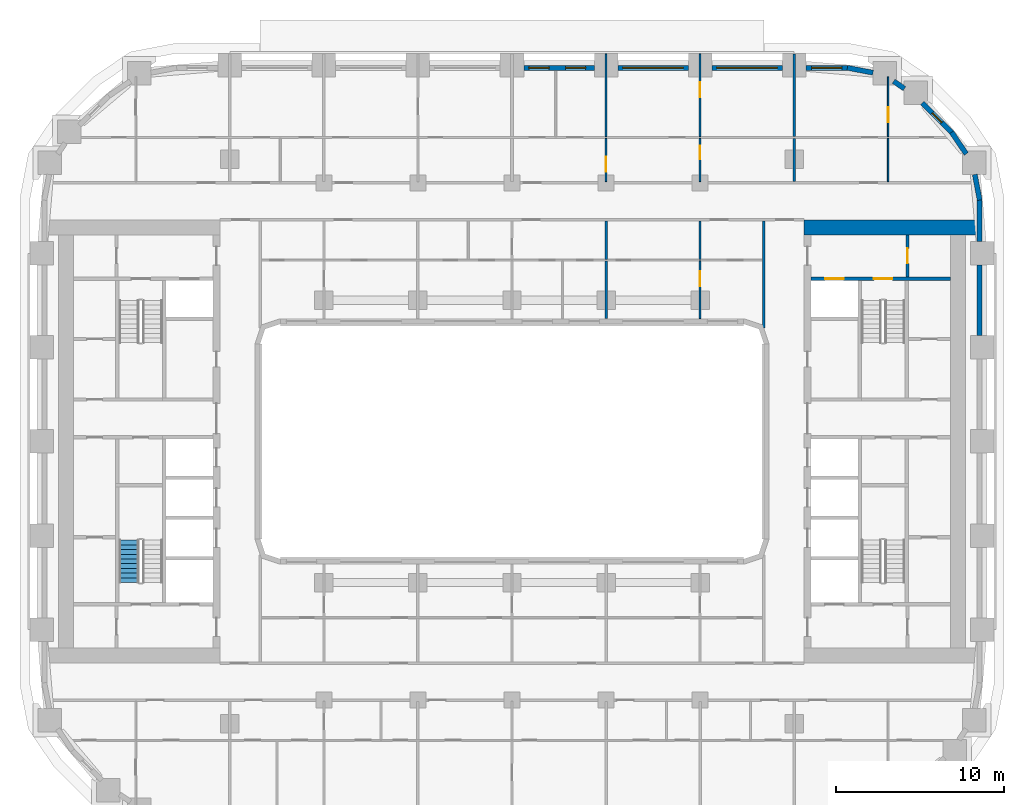
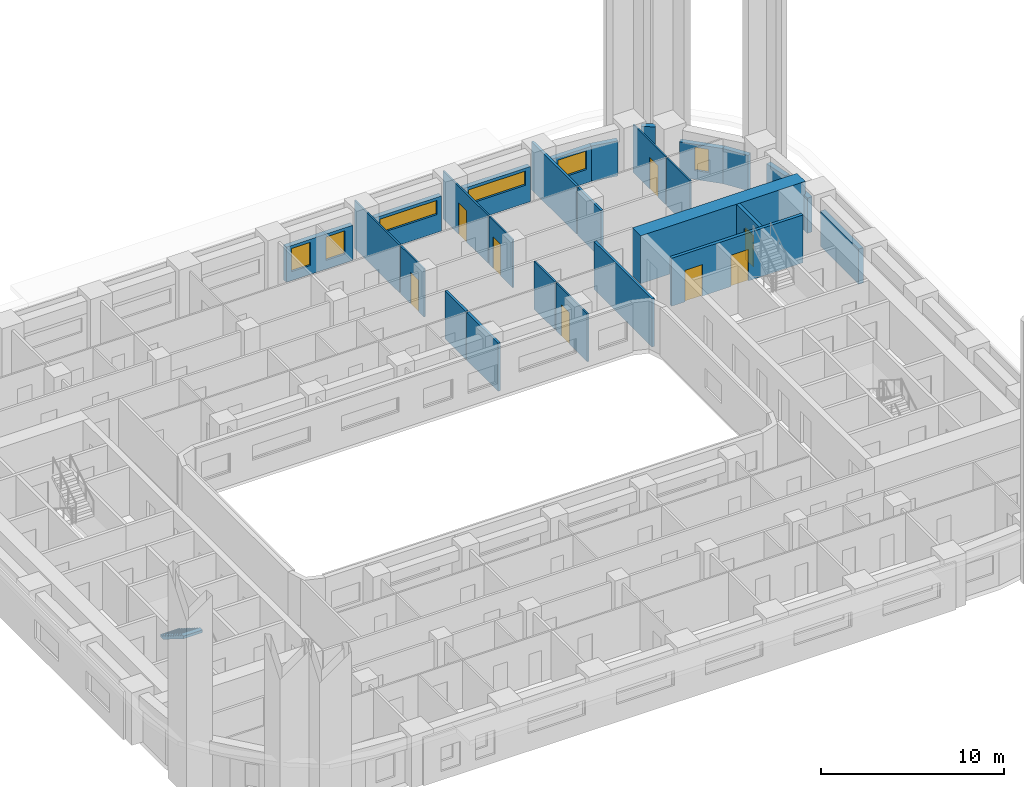
# One storey, part 9 of 22: 27 walls, 8 doors, 6 windows, 1 stair flight, 14 openings, 1 element without a shape of its own.
"""IFC4 building model written with IfcOpenShell, lengths in metres."""

from ifc_helpers import new_model, si_unit, direction, frame, frame_2d, origin, place, context, subcontext, project, spatial, polyline, rectangle, outline, extrude, material, layer, layer_set, type_object, element, fill, aggregate, save


model = new_model("IFC4")

# Units and contexts
model_context = context("Model", 3, precision=1e-05, world=origin(), true_north=direction((0.0, 1.0)))
body_context = subcontext(model_context, "Body", "Model", "MODEL_VIEW")
ifc_project = project(units=[si_unit("LENGTHUNIT", "METRE"), si_unit("AREAUNIT", "SQUARE_METRE"), si_unit("VOLUMEUNIT", "CUBIC_METRE"), si_unit("PLANEANGLEUNIT", "RADIAN"), si_unit("MASSUNIT", "GRAM", prefix="KILO")], contexts=[model_context])

# Site, building, storey
site_placement = place(None, origin())
site = spatial("IfcSite", under=ifc_project, at=site_placement, CompositionType="ELEMENT")
building_placement = place(site_placement, origin())
building = spatial("IfcBuilding", under=site, at=building_placement, Name="Kiln Ring Residences", CompositionType="ELEMENT")
storey_placement = place(building_placement, frame((0.0, 0.0, 55.0)))
storey = spatial("IfcBuildingStorey", under=building, at=storey_placement, Name="L13", CompositionType="ELEMENT", Elevation=55.0)

# Wall, opening, door
ifc_material_1 = material(Name="Gypsum board on steel studs", Category="steel")
ifc_layer_1 = layer(ifc_material_1, 0.199951171875)
ifc_layer_set_1 = layer_set([ifc_layer_1], Name="CORE-PARTITION-200")
wall_type_1 = type_object("IfcWallType", Name="CORE-PARTITION-200", PredefinedType="PARTITIONING", material=ifc_layer_set_1)
wall_1_placement = place(storey_placement, frame((23.550048828125, 9.800048828125, 0.0), z_axis=(0.0, 0.0, 1.0), x_axis=(0.0, 1.0, 0.0)))
wall_1 = element("IfcWall", 1, at=wall_1_placement, inside=storey, type_object=wall_type_1, Name="Core partition east L13 3", PredefinedType="PARTITIONING", context=body_context, shape_type="SweptSolid", body=[
    extrude(rectangle(XDim=2.5, YDim=0.199951171875, at=frame_2d((1.25, 0.0))), origin(), (0.0, 0.0, 1.0), 3.199951171875),
])
opening_1_placement = place(wall_1_placement, frame((0.800048828125, 0.0, 0.0)))
opening_1 = element("IfcOpeningElement", 2, at=opening_1_placement, cuts=wall_1, Name="Opening L13-CE09", PredefinedType="OPENING", context=body_context, shape_type="SweptSolid", body=[
    extrude(rectangle(XDim=0.89990234375, YDim=2.10009765625, at=frame_2d((0.449951171875, 1.050048828125))), frame((0.0, 0.10986328125, 0.0), z_axis=(0.0, -1.0, 0.0), x_axis=(1.0, 0.0, 0.0)), (0.0, 0.0, 1.0), 0.219970703125),
])
ifc_material_2 = material(Name="Steel door leaf", Category="steel")
door_type_1 = type_object("IfcDoorType", Name="CORE-DOOR-ROOM", OperationType="SINGLE_SWING_LEFT", PredefinedType="DOOR", material=ifc_material_2)
door_1_placement = place(opening_1_placement, origin())
door_1 = element("IfcDoor", 3, at=door_1_placement, inside=storey, type_object=door_type_1, Name="Fire riser room L13-CE09", OperationType="SINGLE_SWING_RIGHT", OverallHeight=2.10009765625, OverallWidth=0.89990234375, PredefinedType="DOOR", context=body_context, shape_type="SweptSolid", body=[
    extrude(rectangle(XDim=0.89990234375, YDim=2.10009765625, at=frame_2d((0.449951171875, 1.050048828125))), frame((0.0, 0.02490234375, 0.0), z_axis=(0.0, -1.0, 0.0), x_axis=(1.0, 0.0, 0.0)), (0.0, 0.0, 1.0), 0.050048828125),
])
fill(opening_1, door_1)

# Wall, openings, doors
ifc_material_3 = material(Name="Concrete C40/50", Category="concrete")
ifc_layer_2 = layer(ifc_material_3, 0.199951171875)
ifc_layer_set_2 = layer_set([ifc_layer_2], Name="CORE-WALL-RC200")
wall_type_2 = type_object("IfcWallType", Name="CORE-WALL-RC200", PredefinedType="SHEAR", material=ifc_layer_set_2)
wall_2_placement = place(storey_placement, frame((17.800048828125, 9.699951171875, 0.0), z_axis=(0.0, 0.0, 1.0), x_axis=(1.0, 0.0, 0.0)))
wall_2 = element("IfcWall", 4, at=wall_2_placement, inside=storey, type_object=wall_type_2, Name="Core wall east L13 9", PredefinedType="SHEAR", context=body_context, shape_type="SweptSolid", body=[
    extrude(rectangle(XDim=8.300048828125, YDim=0.199951171875, at=frame_2d((4.14990234375, 0.0))), origin(), (0.0, 0.0, 1.0), 3.199951171875),
])
opening_2_placement = place(wall_2_placement, frame((0.85009765625, 0.0, 0.0)))
opening_2 = element("IfcOpeningElement", 5, at=opening_2_placement, cuts=wall_2, Name="Opening L13-CE06", PredefinedType="OPENING", context=body_context, shape_type="SweptSolid", body=[
    extrude(rectangle(XDim=1.10009765625, YDim=2.10009765625, at=frame_2d((0.550048828125, 1.050048828125))), frame((0.0, 0.10986328125, 0.0), z_axis=(0.0, -1.0, 0.0), x_axis=(1.0, 0.0, 0.0)), (0.0, 0.0, 1.0), 0.219970703125),
])
opening_3_placement = place(wall_2_placement, frame((3.75, 0.0, 0.0)))
opening_3 = element("IfcOpeningElement", 6, at=opening_3_placement, cuts=wall_2, Name="Opening L13-CE11", PredefinedType="OPENING", context=body_context, shape_type="SweptSolid", body=[
    extrude(rectangle(XDim=1.10009765625, YDim=2.10009765625, at=frame_2d((0.550048828125, 1.050048828125))), frame((0.0, 0.10986328125, 0.0), z_axis=(0.0, -1.0, 0.0), x_axis=(1.0, 0.0, 0.0)), (0.0, 0.0, 1.0), 0.219970703125),
])
ifc_material_4 = material(Name="Steel door leaf", Category="steel")
door_type_2 = type_object("IfcDoorType", Name="CORE-DOOR-LD", OperationType="DOUBLE_DOOR_SLIDING", PredefinedType="DOOR", material=ifc_material_4)
door_2_placement = place(opening_2_placement, origin())
door_2 = element("IfcDoor", 7, at=door_2_placement, inside=storey, type_object=door_type_2, Name="LD E-FF L13-CE06", OperationType="DOUBLE_DOOR_SLIDING", OverallHeight=2.10009765625, OverallWidth=1.10009765625, PredefinedType="DOOR", context=body_context, shape_type="SweptSolid", body=[
    extrude(rectangle(XDim=1.10009765625, YDim=2.10009765625, at=frame_2d((0.550048828125, 1.050048828125))), frame((0.0, 0.02490234375, 0.0), z_axis=(0.0, -1.0, 0.0), x_axis=(1.0, 0.0, 0.0)), (0.0, 0.0, 1.0), 0.050048828125),
])
fill(opening_2, door_2)
ifc_material_5 = material(Name="Steel door leaf", Category="steel")
door_type_3 = type_object("IfcDoorType", Name="CORE-DOOR-STAIR", OperationType="SINGLE_SWING_LEFT", PredefinedType="DOOR", material=ifc_material_5)
door_3_placement = place(opening_3_placement, origin())
door_3 = element("IfcDoor", 8, at=door_3_placement, inside=storey, type_object=door_type_3, Name="Stair E-STN L13-CE11", OperationType="SINGLE_SWING_RIGHT", OverallHeight=2.10009765625, OverallWidth=1.10009765625, PredefinedType="DOOR", context=body_context, shape_type="SweptSolid", body=[
    extrude(rectangle(XDim=1.10009765625, YDim=2.10009765625, at=frame_2d((0.550048828125, 1.050048828125))), frame((0.0, 0.02490234375, 0.0), z_axis=(0.0, -1.0, 0.0), x_axis=(1.0, 0.0, 0.0)), (0.0, 0.0, 1.0), 0.050048828125),
])
fill(opening_3, door_3)

# Walls
ifc_material_6 = material(Name="Concrete C60/75", Category="concrete")
ifc_layer_3 = layer(ifc_material_6, 0.89990234375)
ifc_layer_set_3 = layer_set([ifc_layer_3], Name="CORE-WALL-RC900")
wall_type_3 = type_object("IfcWallType", Name="CORE-WALL-RC900", PredefinedType="SHEAR", material=ifc_layer_set_3)
wall_3_placement = place(storey_placement, frame((17.39990234375, 12.75, 0.0), z_axis=(0.0, 0.0, 1.0), x_axis=(1.0, 0.0, 0.0)))
element("IfcWall", 9, at=wall_3_placement, inside=storey, type_object=wall_type_3, Name="Core wall east L13 4", PredefinedType="SHEAR", context=body_context, shape_type="SweptSolid", body=[
    extrude(rectangle(XDim=10.400146484375, YDim=0.89990234375, at=frame_2d((5.2001953125, 0.0))), origin(), (0.0, 0.0, 1.0), 3.199951171875),
])
ifc_material_7 = material(Name="Brick masonry, dark clay brick", Category="masonry")
ifc_layer_4 = layer(ifc_material_7, 0.300048828125)
ifc_layer_set_4 = layer_set([ifc_layer_4], Name="EW-300 BRICK WALL")
wall_type_4 = type_object("IfcWallType", Name="EW-300 BRICK WALL", PredefinedType="SOLIDWALL", material=ifc_layer_set_4)
wall_4_placement = place(storey_placement, frame((27.85009765625, 6.300048828125, 0.0), z_axis=(0.0, 0.0, 1.0), x_axis=(0.0, 1.0, 0.0)))
element("IfcWall", 10, at=wall_4_placement, inside=storey, type_object=wall_type_4, Name="Facade wall L13 21", PredefinedType="SOLIDWALL", context=body_context, shape_type="SweptSolid", body=[
    extrude(rectangle(XDim=4.199951171875, YDim=0.300048828125, at=frame_2d((2.10009765625, 0.0))), origin(), (0.0, 0.0, 1.0), 2.35009765625),
])
wall_5_placement = place(storey_placement, frame((27.85009765625, 11.89990234375, 0.0), z_axis=(0.0, 0.0, 1.0), x_axis=(0.0, 1.0, 0.0)))
element("IfcWall", 11, at=wall_5_placement, inside=storey, type_object=wall_type_4, Name="Facade wall L13 22", PredefinedType="SOLIDWALL", context=body_context, shape_type="SweptSolid", body=[
    extrude(rectangle(XDim=2.5, YDim=0.300048828125, at=frame_2d((1.25, 0.0))), origin(), (0.0, 0.0, 1.0), 2.35009765625),
])
for number, where, z_axis, x_axis, name in (
    (12, (27.8525390625, 14.371826171875, 0.0), (0.0, 0.0, 1.0), (-0.187328386968, 0.982297345734, 0.0), "Facade wall L13 23"),
    (13, (27.053466796875, 17.125732421875, 0.0), (0.0, 0.0, 1.0), (-0.56199241657, 0.827142384187, 0.0), "Facade wall L13 24"),
):
    element("IfcWall", number, at=place(storey_placement, frame(where, z_axis=z_axis, x_axis=x_axis)), inside=storey, type_object=wall_type_4, Name=name, PredefinedType="SOLIDWALL", context=body_context, shape_type="SweptSolid", body=[
        extrude(rectangle(XDim=1.55615234375, YDim=0.300048828125, at=frame_2d((0.778076171875, 0.0))), origin(), (0.0, 0.0, 1.0), 2.35009765625),
    ])

# Wall, opening, window
wall_6_placement = place(storey_placement, frame((26.19677734375, 18.390869140625, 0.0), z_axis=(0.0, 0.0, 1.0), x_axis=(-0.707057949532, 0.707155609469, 0.0)))
wall_6 = element("IfcWall", 14, at=wall_6_placement, inside=storey, type_object=wall_type_4, Name="Facade wall L13 25", PredefinedType="SOLIDWALL", context=body_context, shape_type="SweptSolid", body=[
    extrude(rectangle(XDim=2.5, YDim=0.300048828125, at=frame_2d((1.25, 0.0))), origin(), (0.0, 0.0, 1.0), 2.35009765625),
])
opening_4_placement = place(wall_6_placement, frame((0.85009765625, 0.0, 0.60009765625)))
opening_4 = element("IfcOpeningElement", 15, at=opening_4_placement, cuts=wall_6, Name="Opening W5", PredefinedType="OPENING", context=body_context, shape_type="SweptSolid", body=[
    extrude(rectangle(XDim=0.800048828125, YDim=1.550048828125, at=frame_2d((0.39990234375, 0.77490234375))), frame((0.0, 0.159912109375, 0.0), z_axis=(0.0, -1.0, 0.0), x_axis=(1.0, 0.0, 0.0)), (0.0, 0.0, 1.0), 0.320068359375),
])
ifc_material_8 = material(Name="Aluminium frame with double glazing", Category="aluminium")
window_type_1 = type_object("IfcWindowType", Name="WINDOW 800 x 1550", PartitioningType="SINGLE_PANEL", PredefinedType="WINDOW", material=ifc_material_8)
window_1_placement = place(opening_4_placement, origin())
window_1 = element("IfcWindow", 16, at=window_1_placement, inside=storey, type_object=window_type_1, Name="Window L13 12", OverallHeight=1.550048828125, OverallWidth=0.800048828125, PartitioningType="SINGLE_PANEL", PredefinedType="WINDOW", context=body_context, shape_type="SweptSolid", body=[
    extrude(rectangle(XDim=0.800048828125, YDim=1.550048828125, at=frame_2d((0.39990234375, 0.77490234375))), frame((0.0, 0.030029296875, 0.0), z_axis=(0.0, -1.0, 0.0), x_axis=(1.0, 0.0, 0.0)), (0.0, 0.0, 1.0), 0.06005859375),
])
fill(opening_4, window_1)

# Walls
wall_7_placement = place(storey_placement, frame((23.368408203125, 21.016845703125, 0.0), z_axis=(0.0, 0.0, 1.0), x_axis=(-0.827037530089, 0.562146710232, 0.0)))
element("IfcWall", 17, at=wall_7_placement, inside=storey, type_object=wall_type_4, Name="Facade wall L13 26", PredefinedType="SOLIDWALL", context=body_context, shape_type="SweptSolid", body=[
    extrude(rectangle(XDim=0.77685546875, YDim=0.300048828125, at=frame_2d((0.388427734375, 0.0))), origin(), (0.0, 0.0, 1.0), 3.199951171875),
])
wall_8_placement = place(storey_placement, frame((21.50048828125, 21.961181640625, 0.0), z_axis=(0.0, 0.0, 1.0), x_axis=(-0.982297345734, 0.187328386968, 0.0)))
element("IfcWall", 18, at=wall_8_placement, inside=storey, type_object=wall_type_4, Name="Facade wall L13 27", PredefinedType="SOLIDWALL", context=body_context, shape_type="SweptSolid", body=[
    extrude(rectangle(XDim=1.55615234375, YDim=0.300048828125, at=frame_2d((0.778076171875, 0.0))), origin(), (0.0, 0.0, 1.0), 2.35009765625),
])

# Wall, opening, window
wall_9_placement = place(storey_placement, frame((20.0, 22.25, 0.0), z_axis=(0.0, 0.0, 1.0), x_axis=(-1.0, 0.0, 0.0)))
wall_9 = element("IfcWall", 19, at=wall_9_placement, inside=storey, type_object=wall_type_4, Name="Facade wall L13 28", PredefinedType="SOLIDWALL", context=body_context, shape_type="SweptSolid", body=[
    extrude(rectangle(XDim=2.5, YDim=0.300048828125, at=frame_2d((1.25, 0.0))), origin(), (0.0, 0.0, 1.0), 2.35009765625),
])
opening_5_placement = place(wall_9_placement, frame((0.35009765625, 0.0, 0.89990234375)))
opening_5 = element("IfcOpeningElement", 20, at=opening_5_placement, cuts=wall_9, Name="Opening W2", PredefinedType="OPENING", context=body_context, shape_type="SweptSolid", body=[
    extrude(rectangle(XDim=1.800048828125, YDim=1.25, at=frame_2d((0.89990234375, 0.625))), frame((0.0, 0.159912109375, 0.0), z_axis=(0.0, -1.0, 0.0), x_axis=(1.0, 0.0, 0.0)), (0.0, 0.0, 1.0), 0.320068359375),
])
ifc_material_9 = material(Name="Aluminium frame with double glazing", Category="aluminium")
window_type_2 = type_object("IfcWindowType", Name="WINDOW 1800 x 1250", PartitioningType="SINGLE_PANEL", PredefinedType="WINDOW", material=ifc_material_9)
window_2_placement = place(opening_5_placement, origin())
window_2 = element("IfcWindow", 21, at=window_2_placement, inside=storey, type_object=window_type_2, Name="Window L13 13", OverallHeight=1.25, OverallWidth=1.800048828125, PartitioningType="SINGLE_PANEL", PredefinedType="WINDOW", context=body_context, shape_type="SweptSolid", body=[
    extrude(rectangle(XDim=1.800048828125, YDim=1.25, at=frame_2d((0.89990234375, 0.625))), frame((0.0, 0.030029296875, 0.0), z_axis=(0.0, -1.0, 0.0), x_axis=(1.0, 0.0, 0.0)), (0.0, 0.0, 1.0), 0.06005859375),
])
fill(opening_5, window_2)

wall_10_placement = place(storey_placement, frame((16.10009765625, 22.25, 0.0), z_axis=(0.0, 0.0, 1.0), x_axis=(-1.0, 0.0, 0.0)))
wall_10 = element("IfcWall", 22, at=wall_10_placement, inside=storey, type_object=wall_type_4, Name="Facade wall L13 29", PredefinedType="SOLIDWALL", context=body_context, shape_type="SweptSolid", body=[
    extrude(rectangle(XDim=4.2001953125, YDim=0.300048828125, at=frame_2d((2.10009765625, 0.0))), origin(), (0.0, 0.0, 1.0), 2.35009765625),
])
opening_6_placement = place(wall_10_placement, frame((0.300048828125, 0.0, 1.199951171875)))
opening_6 = element("IfcOpeningElement", 23, at=opening_6_placement, cuts=wall_10, Name="Opening W4", PredefinedType="OPENING", context=body_context, shape_type="SweptSolid", body=[
    extrude(rectangle(XDim=3.60009765625, YDim=0.949951171875, at=frame_2d((1.800048828125, 0.47509765625))), frame((0.0, 0.159912109375, 0.0), z_axis=(0.0, -1.0, 0.0), x_axis=(1.0, 0.0, 0.0)), (0.0, 0.0, 1.0), 0.320068359375),
])
ifc_material_10 = material(Name="Aluminium frame with double glazing", Category="aluminium")
window_type_3 = type_object("IfcWindowType", Name="WINDOW 3600 x 950", PartitioningType="SINGLE_PANEL", PredefinedType="WINDOW", material=ifc_material_10)
window_3_placement = place(opening_6_placement, origin())
window_3 = element("IfcWindow", 24, at=window_3_placement, inside=storey, type_object=window_type_3, Name="Window L13 14", OverallHeight=0.949951171875, OverallWidth=3.60009765625, PartitioningType="SINGLE_PANEL", PredefinedType="WINDOW", context=body_context, shape_type="SweptSolid", body=[
    extrude(rectangle(XDim=3.60009765625, YDim=0.949951171875, at=frame_2d((1.800048828125, 0.47509765625))), frame((0.0, 0.030029296875, 0.0), z_axis=(0.0, -1.0, 0.0), x_axis=(1.0, 0.0, 0.0)), (0.0, 0.0, 1.0), 0.06005859375),
])
fill(opening_6, window_3)

wall_11_placement = place(storey_placement, frame((10.5, 22.25, 0.0), z_axis=(0.0, 0.0, 1.0), x_axis=(-1.0, 0.0, 0.0)))
wall_11 = element("IfcWall", 25, at=wall_11_placement, inside=storey, type_object=wall_type_4, Name="Facade wall L13 30", PredefinedType="SOLIDWALL", context=body_context, shape_type="SweptSolid", body=[
    extrude(rectangle(XDim=4.199951171875, YDim=0.300048828125, at=frame_2d((2.10009765625, 0.0))), origin(), (0.0, 0.0, 1.0), 2.35009765625),
])
opening_7_placement = place(wall_11_placement, frame((0.300048828125, 0.0, 1.199951171875)))
opening_7 = element("IfcOpeningElement", 26, at=opening_7_placement, cuts=wall_11, Name="Opening W4", PredefinedType="OPENING", context=body_context, shape_type="SweptSolid", body=[
    extrude(rectangle(XDim=3.60009765625, YDim=0.949951171875, at=frame_2d((1.800048828125, 0.47509765625))), frame((0.0, 0.159912109375, 0.0), z_axis=(0.0, -1.0, 0.0), x_axis=(1.0, 0.0, 0.0)), (0.0, 0.0, 1.0), 0.320068359375),
])
window_4_placement = place(opening_7_placement, origin())
window_4 = element("IfcWindow", 27, at=window_4_placement, inside=storey, type_object=window_type_3, Name="Window L13 15", OverallHeight=0.949951171875, OverallWidth=3.60009765625, PartitioningType="SINGLE_PANEL", PredefinedType="WINDOW", context=body_context, shape_type="SweptSolid", body=[
    extrude(rectangle(XDim=3.60009765625, YDim=0.949951171875, at=frame_2d((1.800048828125, 0.47509765625))), frame((0.0, 0.030029296875, 0.0), z_axis=(0.0, -1.0, 0.0), x_axis=(1.0, 0.0, 0.0)), (0.0, 0.0, 1.0), 0.06005859375),
])
fill(opening_7, window_4)

# Wall, openings, windows
wall_12_placement = place(storey_placement, frame((4.89990234375, 22.25, 0.0), z_axis=(0.0, 0.0, 1.0), x_axis=(-1.0, 0.0, 0.0)))
wall_12 = element("IfcWall", 28, at=wall_12_placement, inside=storey, type_object=wall_type_4, Name="Facade wall L13 31", PredefinedType="SOLIDWALL", context=body_context, shape_type="SweptSolid", body=[
    extrude(rectangle(XDim=4.199951171875, YDim=0.300048828125, at=frame_2d((2.10009765625, 0.0))), origin(), (0.0, 0.0, 1.0), 2.35009765625),
])
opening_8_placement = place(wall_12_placement, frame((0.512451171875, 0.0, 0.60009765625)))
opening_8 = element("IfcOpeningElement", 29, at=opening_8_placement, cuts=wall_12, Name="Opening W1", PredefinedType="OPENING", context=body_context, shape_type="SweptSolid", body=[
    extrude(rectangle(XDim=1.199951171875, YDim=1.550048828125, at=frame_2d((0.60009765625, 0.77490234375))), frame((0.0, 0.159912109375, 0.0), z_axis=(0.0, -1.0, 0.0), x_axis=(1.0, 0.0, 0.0)), (0.0, 0.0, 1.0), 0.320068359375),
])
opening_9_placement = place(wall_12_placement, frame((2.6875, 0.0, 0.60009765625)))
opening_9 = element("IfcOpeningElement", 30, at=opening_9_placement, cuts=wall_12, Name="Opening W1", PredefinedType="OPENING", context=body_context, shape_type="SweptSolid", body=[
    extrude(rectangle(XDim=1.199951171875, YDim=1.550048828125, at=frame_2d((0.60009765625, 0.77490234375))), frame((0.0, 0.159912109375, 0.0), z_axis=(0.0, -1.0, 0.0), x_axis=(1.0, 0.0, 0.0)), (0.0, 0.0, 1.0), 0.320068359375),
])
ifc_material_11 = material(Name="Aluminium frame with double glazing", Category="aluminium")
window_type_4 = type_object("IfcWindowType", Name="WINDOW 1200 x 1550", PartitioningType="SINGLE_PANEL", PredefinedType="WINDOW", material=ifc_material_11)
window_5_placement = place(opening_8_placement, origin())
window_5 = element("IfcWindow", 31, at=window_5_placement, inside=storey, type_object=window_type_4, Name="Window L13 16", OverallHeight=1.550048828125, OverallWidth=1.199951171875, PartitioningType="SINGLE_PANEL", PredefinedType="WINDOW", context=body_context, shape_type="SweptSolid", body=[
    extrude(rectangle(XDim=1.199951171875, YDim=1.550048828125, at=frame_2d((0.60009765625, 0.77490234375))), frame((0.0, 0.030029296875, 0.0), z_axis=(0.0, -1.0, 0.0), x_axis=(1.0, 0.0, 0.0)), (0.0, 0.0, 1.0), 0.06005859375),
])
fill(opening_8, window_5)
window_6_placement = place(opening_9_placement, origin())
window_6 = element("IfcWindow", 32, at=window_6_placement, inside=storey, type_object=window_type_4, Name="Window L13 17", OverallHeight=1.550048828125, OverallWidth=1.199951171875, PartitioningType="SINGLE_PANEL", PredefinedType="WINDOW", context=body_context, shape_type="SweptSolid", body=[
    extrude(rectangle(XDim=1.199951171875, YDim=1.550048828125, at=frame_2d((0.60009765625, 0.77490234375))), frame((0.0, 0.030029296875, 0.0), z_axis=(0.0, -1.0, 0.0), x_axis=(1.0, 0.0, 0.0)), (0.0, 0.0, 1.0), 0.06005859375),
])
fill(opening_9, window_6)

# Wall, opening, door
ifc_material_12 = material(Name="Gypsum board on steel studs", Category="steel")
ifc_layer_5 = layer(ifc_material_12, 0.10009765625)
ifc_layer_set_5 = layer_set([ifc_layer_5], Name="PARTITION-100")
wall_type_5 = type_object("IfcWallType", Name="PARTITION-100", PredefinedType="PARTITIONING", material=ifc_layer_set_5)
wall_13_placement = place(storey_placement, frame((5.60009765625, 15.47509765625, 0.0), z_axis=(0.0, 0.0, 1.0), x_axis=(0.0, 1.0, 0.0)))
wall_13 = element("IfcWall", 33, at=wall_13_placement, inside=storey, type_object=wall_type_5, Name="Partition 048", PredefinedType="PARTITIONING", context=body_context, shape_type="SweptSolid", body=[
    extrude(rectangle(XDim=2.574951171875, YDim=0.10009765625, at=frame_2d((1.28759765625, 0.0))), origin(), (0.0, 0.0, 1.0), 3.199951171875),
])
opening_10_placement = place(wall_13_placement, frame((0.575927734375, 0.0, 0.0)))
opening_10 = element("IfcOpeningElement", 34, at=opening_10_placement, cuts=wall_13, Name="Opening L13-D031", PredefinedType="OPENING", context=body_context, shape_type="SweptSolid", body=[
    extrude(rectangle(XDim=0.89990234375, YDim=2.10009765625, at=frame_2d((0.449951171875, 1.050048828125))), frame((0.0, 0.06005859375, 0.0), z_axis=(0.0, -1.0, 0.0), x_axis=(1.0, 0.0, 0.0)), (0.0, 0.0, 1.0), 0.1201171875),
])
ifc_material_13 = material(Name="Timber door leaf", Category="wood")
door_type_4 = type_object("IfcDoorType", Name="FLAT-DOOR-900-PL", OperationType="SINGLE_SWING_LEFT", PredefinedType="DOOR", material=ifc_material_13)
door_4_placement = place(opening_10_placement, origin())
door_4 = element("IfcDoor", 35, at=door_4_placement, inside=storey, type_object=door_type_4, Name="Door L13-D031", OperationType="SINGLE_SWING_LEFT", OverallHeight=2.10009765625, OverallWidth=0.89990234375, PredefinedType="DOOR", context=body_context, shape_type="SweptSolid", body=[
    extrude(rectangle(XDim=0.89990234375, YDim=2.10009765625, at=frame_2d((0.449951171875, 1.050048828125))), frame((0.0, 0.02490234375, 0.0), z_axis=(0.0, -1.0, 0.0), x_axis=(1.0, 0.0, 0.0)), (0.0, 0.0, 1.0), 0.050048828125),
])
fill(opening_10, door_4)

# Wall
wall_14_placement = place(storey_placement, frame((5.60009765625, 18.14990234375, 0.0), z_axis=(0.0, 0.0, 1.0), x_axis=(0.0, 1.0, 0.0)))
element("IfcWall", 36, at=wall_14_placement, inside=storey, type_object=wall_type_5, Name="Partition 049", PredefinedType="PARTITIONING", context=body_context, shape_type="SweptSolid", body=[
    extrude(rectangle(XDim=4.93017578125, YDim=0.10009765625, at=frame_2d((2.465087890625, 0.0))), origin(), (0.0, 0.0, 1.0), 3.199951171875),
])

# Wall, opening, door
wall_15_placement = place(storey_placement, frame((11.199951171875, 7.320068359375, 0.0), z_axis=(0.0, 0.0, 1.0), x_axis=(0.0, 1.0, 0.0)))
wall_15 = element("IfcWall", 37, at=wall_15_placement, inside=storey, type_object=wall_type_5, Name="Partition 059", PredefinedType="PARTITIONING", context=body_context, shape_type="SweptSolid", body=[
    extrude(rectangle(XDim=3.429931640625, YDim=0.10009765625, at=frame_2d((1.71484375, 0.0))), origin(), (0.0, 0.0, 1.0), 3.199951171875),
])
opening_11_placement = place(wall_15_placement, frame((1.929931640625, 0.0, 0.0)))
opening_11 = element("IfcOpeningElement", 38, at=opening_11_placement, cuts=wall_15, Name="Opening L13-D018", PredefinedType="OPENING", context=body_context, shape_type="SweptSolid", body=[
    extrude(rectangle(XDim=0.89990234375, YDim=2.10009765625, at=frame_2d((0.449951171875, 1.050048828125))), frame((0.0, 0.06005859375, 0.0), z_axis=(0.0, -1.0, 0.0), x_axis=(1.0, 0.0, 0.0)), (0.0, 0.0, 1.0), 0.1201171875),
])
door_5_placement = place(opening_11_placement, origin())
door_5 = element("IfcDoor", 39, at=door_5_placement, inside=storey, type_object=door_type_4, Name="Door L13-D018", OperationType="SINGLE_SWING_LEFT", OverallHeight=2.10009765625, OverallWidth=0.89990234375, PredefinedType="DOOR", context=body_context, shape_type="SweptSolid", body=[
    extrude(rectangle(XDim=0.89990234375, YDim=2.10009765625, at=frame_2d((0.449951171875, 1.050048828125))), frame((0.0, 0.02490234375, 0.0), z_axis=(0.0, -1.0, 0.0), x_axis=(1.0, 0.0, 0.0)), (0.0, 0.0, 1.0), 0.050048828125),
])
fill(opening_11, door_5)

# Wall
wall_16_placement = place(storey_placement, frame((11.199951171875, 10.85009765625, 0.0), z_axis=(0.0, 0.0, 1.0), x_axis=(0.0, 1.0, 0.0)))
element("IfcWall", 40, at=wall_16_placement, inside=storey, type_object=wall_type_5, Name="Partition 060", PredefinedType="PARTITIONING", context=body_context, shape_type="SweptSolid", body=[
    extrude(rectangle(XDim=2.27490234375, YDim=0.10009765625, at=frame_2d((1.137451171875, 0.0))), origin(), (0.0, 0.0, 1.0), 3.199951171875),
])

# Wall, opening, door
wall_17_placement = place(storey_placement, frame((11.199951171875, 15.47509765625, 0.0), z_axis=(0.0, 0.0, 1.0), x_axis=(0.0, 1.0, 0.0)))
wall_17 = element("IfcWall", 41, at=wall_17_placement, inside=storey, type_object=wall_type_5, Name="Partition 061", PredefinedType="PARTITIONING", context=body_context, shape_type="SweptSolid", body=[
    extrude(rectangle(XDim=2.574951171875, YDim=0.10009765625, at=frame_2d((1.28759765625, 0.0))), origin(), (0.0, 0.0, 1.0), 3.199951171875),
])
opening_12_placement = place(wall_17_placement, frame((1.325927734375, 0.0, 0.0)))
opening_12 = element("IfcOpeningElement", 42, at=opening_12_placement, cuts=wall_17, Name="Opening L13-D032", PredefinedType="OPENING", context=body_context, shape_type="SweptSolid", body=[
    extrude(rectangle(XDim=0.800048828125, YDim=2.10009765625, at=frame_2d((0.39990234375, 1.050048828125))), frame((0.0, 0.06005859375, 0.0), z_axis=(0.0, -1.0, 0.0), x_axis=(1.0, 0.0, 0.0)), (0.0, 0.0, 1.0), 0.1201171875),
])
ifc_material_14 = material(Name="Timber door leaf", Category="wood")
door_type_5 = type_object("IfcDoorType", Name="FLAT-DOOR-800-PL", OperationType="SINGLE_SWING_LEFT", PredefinedType="DOOR", material=ifc_material_14)
door_6_placement = place(opening_12_placement, origin())
door_6 = element("IfcDoor", 43, at=door_6_placement, inside=storey, type_object=door_type_5, Name="Door L13-D032", OperationType="SINGLE_SWING_RIGHT", OverallHeight=2.10009765625, OverallWidth=0.800048828125, PredefinedType="DOOR", context=body_context, shape_type="SweptSolid", body=[
    extrude(rectangle(XDim=0.800048828125, YDim=2.10009765625, at=frame_2d((0.39990234375, 1.050048828125))), frame((0.0, 0.02490234375, 0.0), z_axis=(0.0, -1.0, 0.0), x_axis=(1.0, 0.0, 0.0)), (0.0, 0.0, 1.0), 0.050048828125),
])
fill(opening_12, door_6)

wall_18_placement = place(storey_placement, frame((11.199951171875, 18.14990234375, 0.0), z_axis=(0.0, 0.0, 1.0), x_axis=(0.0, 1.0, 0.0)))
wall_18 = element("IfcWall", 44, at=wall_18_placement, inside=storey, type_object=wall_type_5, Name="Partition 062", PredefinedType="PARTITIONING", context=body_context, shape_type="SweptSolid", body=[
    extrude(rectangle(XDim=4.93017578125, YDim=0.10009765625, at=frame_2d((2.465087890625, 0.0))), origin(), (0.0, 0.0, 1.0), 3.199951171875),
])
opening_13_placement = place(wall_18_placement, frame((2.35009765625, 0.0, 0.0)))
opening_13 = element("IfcOpeningElement", 45, at=opening_13_placement, cuts=wall_18, Name="Opening L13-D036", PredefinedType="OPENING", context=body_context, shape_type="SweptSolid", body=[
    extrude(rectangle(XDim=0.89990234375, YDim=2.10009765625, at=frame_2d((0.449951171875, 1.050048828125))), frame((0.0, 0.06005859375, 0.0), z_axis=(0.0, -1.0, 0.0), x_axis=(1.0, 0.0, 0.0)), (0.0, 0.0, 1.0), 0.1201171875),
])
door_7_placement = place(opening_13_placement, origin())
door_7 = element("IfcDoor", 46, at=door_7_placement, inside=storey, type_object=door_type_4, Name="Door L13-D036", OperationType="SINGLE_SWING_RIGHT", OverallHeight=2.10009765625, OverallWidth=0.89990234375, PredefinedType="DOOR", context=body_context, shape_type="SweptSolid", body=[
    extrude(rectangle(XDim=0.89990234375, YDim=2.10009765625, at=frame_2d((0.449951171875, 1.050048828125))), frame((0.0, 0.02490234375, 0.0), z_axis=(0.0, -1.0, 0.0), x_axis=(1.0, 0.0, 0.0)), (0.0, 0.0, 1.0), 0.050048828125),
])
fill(opening_13, door_7)

# Wall
wall_19_placement = place(storey_placement, frame((22.39990234375, 15.47509765625, 0.0), z_axis=(0.0, 0.0, 1.0), x_axis=(0.0, 1.0, 0.0)))
element("IfcWall", 47, at=wall_19_placement, inside=storey, type_object=wall_type_5, Name="Partition 074", PredefinedType="PARTITIONING", context=body_context, shape_type="SweptSolid", body=[
    extrude(rectangle(XDim=2.574951171875, YDim=0.10009765625, at=frame_2d((1.28759765625, 0.0))), origin(), (0.0, 0.0, 1.0), 3.199951171875),
])

# Wall, opening, door
wall_20_placement = place(storey_placement, frame((22.39990234375, 18.14990234375, 0.0), z_axis=(0.0, 0.0, 1.0), x_axis=(0.0, 1.0, 0.0)))
wall_20 = element("IfcWall", 48, at=wall_20_placement, inside=storey, type_object=wall_type_5, Name="Partition 075", PredefinedType="PARTITIONING", context=body_context, shape_type="SweptSolid", body=[
    extrude(rectangle(XDim=3.570068359375, YDim=0.10009765625, at=frame_2d((1.78515625, 0.0))), origin(), (0.0, 0.0, 1.0), 3.199951171875),
])
opening_14_placement = place(wall_20_placement, frame((0.85009765625, 0.0, 0.0)))
opening_14 = element("IfcOpeningElement", 49, at=opening_14_placement, cuts=wall_20, Name="Opening L13-D040", PredefinedType="OPENING", context=body_context, shape_type="SweptSolid", body=[
    extrude(rectangle(XDim=0.89990234375, YDim=2.10009765625, at=frame_2d((0.449951171875, 1.050048828125))), frame((0.0, 0.06005859375, 0.0), z_axis=(0.0, -1.0, 0.0), x_axis=(1.0, 0.0, 0.0)), (0.0, 0.0, 1.0), 0.1201171875),
])
door_8_placement = place(opening_14_placement, origin())
door_8 = element("IfcDoor", 50, at=door_8_placement, inside=storey, type_object=door_type_4, Name="Door L13-D040", OperationType="SINGLE_SWING_LEFT", OverallHeight=2.10009765625, OverallWidth=0.89990234375, PredefinedType="DOOR", context=body_context, shape_type="SweptSolid", body=[
    extrude(rectangle(XDim=0.89990234375, YDim=2.10009765625, at=frame_2d((0.449951171875, 1.050048828125))), frame((0.0, 0.02490234375, 0.0), z_axis=(0.0, -1.0, 0.0), x_axis=(1.0, 0.0, 0.0)), (0.0, 0.0, 1.0), 0.050048828125),
])
fill(opening_14, door_8)

# Walls
ifc_material_15 = material(Name="Brick masonry partition", Category="masonry")
ifc_layer_6 = layer(ifc_material_15, 0.14990234375)
ifc_layer_set_6 = layer_set([ifc_layer_6], Name="PARTITION-150-ei60")
wall_type_6 = type_object("IfcWallType", Name="PARTITION-150-ei60", PredefinedType="PARTITIONING", material=ifc_layer_set_6)
wall_21_placement = place(storey_placement, frame((5.60009765625, 7.320068359375, 0.0), z_axis=(0.0, 0.0, 1.0), x_axis=(0.0, 1.0, 0.0)))
element("IfcWall", 51, at=wall_21_placement, inside=storey, type_object=wall_type_6, Name="Partition 054", PredefinedType="PARTITIONING", context=body_context, shape_type="SweptSolid", body=[
    extrude(rectangle(XDim=3.429931640625, YDim=0.14990234375, at=frame_2d((1.71484375, 0.0))), origin(), (0.0, 0.0, 1.0), 3.199951171875),
])
wall_22_placement = place(storey_placement, frame((5.60009765625, 10.85009765625, 0.0), z_axis=(0.0, 0.0, 1.0), x_axis=(0.0, 1.0, 0.0)))
element("IfcWall", 52, at=wall_22_placement, inside=storey, type_object=wall_type_6, Name="Partition 055", PredefinedType="PARTITIONING", context=body_context, shape_type="SweptSolid", body=[
    extrude(rectangle(XDim=2.27490234375, YDim=0.14990234375, at=frame_2d((1.137451171875, 0.0))), origin(), (0.0, 0.0, 1.0), 3.199951171875),
])
wall_23_placement = place(storey_placement, frame((15.0, 6.768798828125, 0.0), z_axis=(0.0, 0.0, 1.0), x_axis=(0.0, 1.0, 0.0)))
element("IfcWall", 53, at=wall_23_placement, inside=storey, type_object=wall_type_6, Name="Partition 067", PredefinedType="PARTITIONING", context=body_context, shape_type="SweptSolid", body=[
    extrude(rectangle(XDim=6.356201171875, YDim=0.14990234375, at=frame_2d((3.17822265625, 0.0))), origin(), (0.0, 0.0, 1.0), 3.199951171875),
])
wall_24_placement = place(storey_placement, frame((16.800048828125, 15.47509765625, 0.0), z_axis=(0.0, 0.0, 1.0), x_axis=(0.0, 1.0, 0.0)))
element("IfcWall", 54, at=wall_24_placement, inside=storey, type_object=wall_type_6, Name="Partition 070", PredefinedType="PARTITIONING", context=body_context, shape_type="SweptSolid", body=[
    extrude(rectangle(XDim=2.574951171875, YDim=0.14990234375, at=frame_2d((1.28759765625, 0.0))), origin(), (0.0, 0.0, 1.0), 3.199951171875),
])
wall_25_placement = place(storey_placement, frame((16.800048828125, 18.14990234375, 0.0), z_axis=(0.0, 0.0, 1.0), x_axis=(0.0, 1.0, 0.0)))
element("IfcWall", 55, at=wall_25_placement, inside=storey, type_object=wall_type_6, Name="Partition 071", PredefinedType="PARTITIONING", context=body_context, shape_type="SweptSolid", body=[
    extrude(rectangle(XDim=4.93017578125, YDim=0.14990234375, at=frame_2d((2.465087890625, 0.0))), origin(), (0.0, 0.0, 1.0), 3.199951171875),
])

# Stair, stair flight
ifc_material_16 = material(Name="Concrete C40/50", Category="concrete")
stair_type = type_object("IfcStairType", Name="CORE-STAIR", PredefinedType="HALF_TURN_STAIR", material=ifc_material_16)
stair_placement = place(storey_placement, origin())
stair = element("IfcStair", 56, at=stair_placement, inside=storey, type_object=stair_type, Name="L13 stair W-STS", PredefinedType="HALF_TURN_STAIR")
ifc_material_17 = material(Name="Concrete C40/50", Category="concrete")
stair_flight_type = type_object("IfcStairFlightType", Name="CORE-STAIR-FLIGHT", PredefinedType="STRAIGHT", material=ifc_material_17)
stair_flight_placement = place(storey_placement, frame((-22.800048828125, -5.8798828125, 1.75), z_axis=(0.0, 0.0, 1.0), x_axis=(0.0, -1.0, 0.0)))
stair_flight = element("IfcStairFlight", 57, at=stair_flight_placement, type_object=stair_flight_type, Name="W-STS flight 2", NumberOfRisers=10, NumberOfTreads=9, PredefinedType="STRAIGHT", RiserHeight=0.175, TreadLength=0.28, context=body_context, shape_type="SweptSolid", body=[
    extrude(outline(polyline([(0.0, 0.0), (0.0, 0.175048828125), (0.280029296875, 0.175048828125), (0.280029296875, 0.35009765625), (0.56005859375, 0.35009765625), (0.56005859375, 0.52490234375), (0.840087890625, 0.52490234375), (0.840087890625, 0.699951171875), (1.1201171875, 0.699951171875), (1.1201171875, 0.875), (1.39990234375, 0.875), (1.39990234375, 1.050048828125), (1.679931640625, 1.050048828125), (1.679931640625, 1.22509765625), (1.9599609375, 1.22509765625), (1.9599609375, 1.39990234375), (2.239990234375, 1.39990234375), (2.239990234375, 1.574951171875), (2.52001953125, 1.574951171875), (2.52001953125, 1.75), (2.52001953125, 1.398193359375), (0.28271484375, 0.0), (0.0, 0.0)])), frame((0.0, 0.60009765625, 0.0), z_axis=(0.0, -1.0, 0.0), x_axis=(1.0, 0.0, 0.0)), (0.0, 0.0, 1.0), 1.199951171875),
])
aggregate(stair, [stair_flight])

save(model, "model.ifc")
